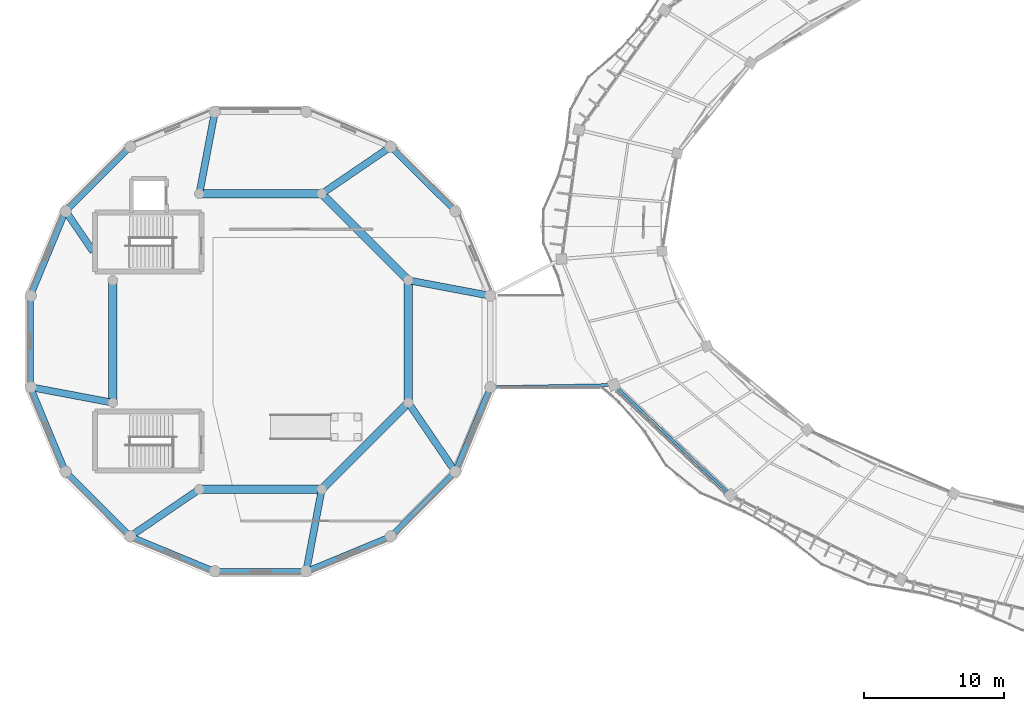
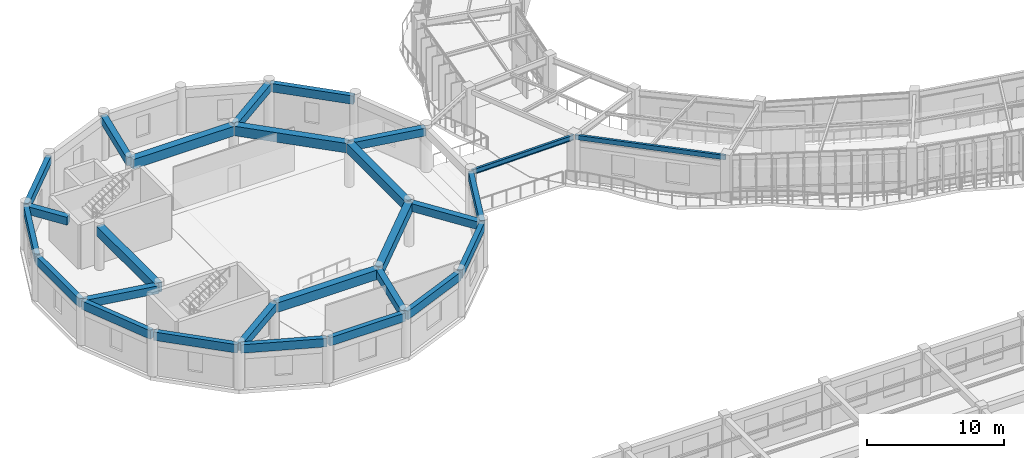
# One storey, part 47 of 152: 27 beams.
"""IFC4 building model written with IfcOpenShell, lengths in metres."""

from ifc_helpers import new_model, si_unit, direction, frame, origin, origin_2d, place, context, subcontext, project, spatial, rectangle, hollow_rectangle, i_section, extrude, material, material_profile, profile_set, type_object, element, save


model = new_model("IFC4")

# Units and contexts
model_context = context("Model", 3, precision=1e-05, world=origin(), true_north=direction((0.0, 1.0)))
body_context = subcontext(model_context, "Body", "Model", "MODEL_VIEW")
ifc_project = project(units=[si_unit("LENGTHUNIT", "METRE"), si_unit("AREAUNIT", "SQUARE_METRE"), si_unit("VOLUMEUNIT", "CUBIC_METRE"), si_unit("PLANEANGLEUNIT", "RADIAN"), si_unit("MASSUNIT", "GRAM", prefix="KILO"), si_unit("THERMODYNAMICTEMPERATUREUNIT", "KELVIN"), si_unit("POWERUNIT", "WATT")], contexts=[model_context])

# Site, building, storey
site_placement = place(None, origin())
site = spatial("IfcSite", under=ifc_project, at=site_placement, CompositionType="ELEMENT")
building_placement = place(site_placement, origin())
building = spatial("IfcBuilding", under=site, at=building_placement, Name="Darbajah Civic Hall", CompositionType="ELEMENT")
storey_placement = place(building_placement, frame((0.0, 0.0, 5.39990234375)))
storey = spatial("IfcBuildingStorey", under=building, at=storey_placement, Name="L01", CompositionType="ELEMENT", Elevation=5.39990234375)

# Beams
ifc_material_1 = material(Name="Concrete C45/55", Category="concrete")
ifc_material_profile_1 = material_profile(ifc_material_1, rectangle(XDim=0.5, YDim=0.699951171875, at=origin_2d()), Name="RC BEAM 500x700")
ifc_profile_set_1 = profile_set([ifc_material_profile_1], Name="Concrete C45/55")
beam_type_1 = type_object("IfcBeamType", Name="RC BEAM 500x700", PredefinedType="BEAM", material=ifc_profile_set_1)
for number, where, z_axis, x_axis, name in (
    (1, (27.410888671875, 85.94775390625, 3.530029296875), (0.982632316348, -0.185563279957, 0.0), (0.185563279957, 0.982632316348, 0.0), "L01 beam BM-5070"),
    (2, (21.228759765625, 92.17724609375, 3.530029296875), (0.826037882137, 0.563614599949, 0.0), (-0.563614599949, 0.826037882137, 0.0), "L01 beam BM-5070"),
):
    element("IfcBeam", number, at=place(storey_placement, frame(where, z_axis=z_axis, x_axis=x_axis)), inside=storey, type_object=beam_type_1, Name=name, PredefinedType="BEAM", context=body_context, shape_type="SweptSolid", body=[
        extrude(rectangle(XDim=0.5, YDim=0.699951171875, at=origin_2d()), origin(), (0.0, 0.0, 1.0), 5.781005859375),
    ])
beam_1_placement = place(storey_placement, frame((12.4521484375, 92.210693359375, 3.530029296875), z_axis=(0.185596354676, 0.982626069841, 0.0), x_axis=(-0.982626069841, 0.185596354676, 0.0)))
element("IfcBeam", 3, at=beam_1_placement, inside=storey, type_object=beam_type_1, Name="L01 beam BM-5070", PredefinedType="BEAM", context=body_context, shape_type="SweptSolid", body=[
    extrude(rectangle(XDim=0.5, YDim=0.699951171875, at=origin_2d()), origin(), (0.0, 0.0, 1.0), 5.78125),
])
beam_2_placement = place(storey_placement, frame((4.860107421875, 88.02587890625, 3.530029296875), z_axis=(-0.563629589976, 0.826027654079, 0.0), x_axis=(-0.826027654079, -0.563629589976, 0.0)))
element("IfcBeam", 4, at=beam_2_placement, inside=storey, type_object=beam_type_1, Name="L01 beam BM-5070", PredefinedType="BEAM", context=body_context, shape_type="SweptSolid", body=[
    extrude(rectangle(XDim=0.5, YDim=0.699951171875, at=origin_2d()), origin(), (0.0, 0.0, 1.0), 3.363525390625),
])
for number, where, z_axis, x_axis, name in (
    (5, (6.189208984375, 77.252197265625, 3.530029296875), (-0.982626069841, 0.185596354676, 0.0), (-0.185596354676, -0.982626069841, 0.0), "L01 beam BM-5070"),
    (6, (12.371337890625, 71.022705078125, 3.530029296875), (-0.826051296586, -0.563594939126, 0.0), (0.563594939126, -0.826051296586, 0.0), "L01 beam BM-5070"),
    (7, (21.147705078125, 70.9892578125, 3.530029296875), (-0.185555579839, -0.982633770431, 0.0), (0.982633770431, -0.185555579839, 0.0), "L01 beam BM-5070"),
    (8, (27.377197265625, 77.17138671875, 3.530029296875), (0.563594939126, -0.826051296586, 0.0), (0.826051296586, 0.563594939126, 0.0), "L01 beam BM-5070"),
):
    element("IfcBeam", number, at=place(storey_placement, frame(where, z_axis=z_axis, x_axis=x_axis)), inside=storey, type_object=beam_type_1, Name=name, PredefinedType="BEAM", context=body_context, shape_type="SweptSolid", body=[
        extrude(rectangle(XDim=0.5, YDim=0.699951171875, at=origin_2d()), origin(), (0.0, 0.0, 1.0), 5.78125),
    ])
ifc_material_2 = material(Name="Concrete C50/60", Category="concrete")
ifc_material_profile_2 = material_profile(ifc_material_2, rectangle(XDim=0.60009765625, YDim=0.85009765625, at=origin_2d()), Name="RC GIRDER 600x850")
ifc_profile_set_2 = profile_set([ifc_material_profile_2], Name="Concrete C50/60")
beam_type_2 = type_object("IfcBeamType", Name="RC GIRDER 600x850", PredefinedType="BEAM", material=ifc_profile_set_2)
beam_3_placement = place(storey_placement, frame((27.275634765625, 86.019287109375, 3.455078125), z_axis=(-0.707106781187, 0.707106781187, 0.0), x_axis=(-0.707106781187, -0.707106781187, 0.0)))
element("IfcBeam", 9, at=beam_3_placement, inside=storey, type_object=beam_type_2, Name="L01 beam BG-6085", PredefinedType="BEAM", context=body_context, shape_type="SweptSolid", body=[
    extrude(rectangle(XDim=0.60009765625, YDim=0.85009765625, at=origin_2d()), origin(), (0.0, 0.0, 1.0), 8.56494140625),
])
for number, where, z_axis, x_axis, name in (
    (10, (21.08251953125, 92.132080078125, 3.455078125), (-1.0, 0.0, 0.0), (0.0, -1.0, 0.0), "L01 beam BG-6085"),
    (11, (6.267822265625, 85.882568359375, 3.455078125), (0.0, -1.0, 0.0), (1.0, 0.0, 0.0), "L01 beam BG-6085"),
    (12, (12.517333984375, 71.06787109375, 3.455078125), (1.0, 0.0, 0.0), (0.0, 1.0, 0.0), "L01 beam BG-6085"),
):
    element("IfcBeam", number, at=place(storey_placement, frame(where, z_axis=z_axis, x_axis=x_axis)), inside=storey, type_object=beam_type_2, Name=name, PredefinedType="BEAM", context=body_context, shape_type="SweptSolid", body=[
        extrude(rectangle(XDim=0.60009765625, YDim=0.85009765625, at=origin_2d()), origin(), (0.0, 0.0, 1.0), 8.565185546875),
    ])
beam_4_placement = place(storey_placement, frame((21.21923828125, 71.12451171875, 3.455078125), z_axis=(0.707106781187, 0.707106781187, 0.0), x_axis=(-0.707106781187, 0.707106781187, 0.0)))
element("IfcBeam", 13, at=beam_4_placement, inside=storey, type_object=beam_type_2, Name="L01 beam BG-6085", PredefinedType="BEAM", context=body_context, shape_type="SweptSolid", body=[
    extrude(rectangle(XDim=0.60009765625, YDim=0.85009765625, at=origin_2d()), origin(), (0.0, 0.0, 1.0), 8.56494140625),
])
beam_5_placement = place(storey_placement, frame((27.332275390625, 77.3173828125, 3.455078125), z_axis=(0.0, 1.0, 0.0), x_axis=(-1.0, 0.0, 0.0)))
element("IfcBeam", 14, at=beam_5_placement, inside=storey, type_object=beam_type_2, Name="L01 beam BG-6085", PredefinedType="BEAM", context=body_context, shape_type="SweptSolid", body=[
    extrude(rectangle(XDim=0.60009765625, YDim=0.85009765625, at=origin_2d()), origin(), (0.0, 0.0, 1.0), 8.565185546875),
])
ifc_material_profile_3 = material_profile(ifc_material_1, rectangle(XDim=0.39990234375, YDim=0.75, at=origin_2d()), Name="RC SPANDREL 400x750")
ifc_profile_set_3 = profile_set([ifc_material_profile_3], Name="Concrete C45/55")
beam_type_3 = type_object("IfcBeamType", Name="RC SPANDREL 400x750", PredefinedType="SPANDREL", material=ifc_profile_set_3)
for number, where, z_axis, x_axis, name in (
    (15, (30.622802734375, 90.942138671875, 3.505126953125), (-0.707126045514, 0.707087516334, 0.0), (-0.707087516334, -0.707126045514, 0.0), "L01 beam SP-4075"),
    (16, (7.4580078125, 95.422607421875, 3.505126953125), (-0.707126045514, -0.707087516334, 0.0), (0.707087516334, -0.707126045514, 0.0), "L01 beam SP-4075"),
    (17, (2.87939453125, 90.79541015625, 3.505126953125), (-0.382715898409, -0.923866083967, 0.0), (0.923866083967, -0.382715898409, 0.0), "L01 beam SP-4075"),
    (18, (0.419921875, 84.768310546875, 3.505126953125), (0.0, -1.0, 0.0), (1.0, 0.0, 0.0), "L01 beam SP-4075"),
):
    element("IfcBeam", number, at=place(storey_placement, frame(where, z_axis=z_axis, x_axis=x_axis)), inside=storey, type_object=beam_type_3, Name=name, PredefinedType="SPANDREL", context=body_context, shape_type="SweptSolid", body=[
        extrude(rectangle(XDim=0.39990234375, YDim=0.75, at=origin_2d()), origin(), (0.0, 0.0, 1.0), 6.33642578125),
    ])
beam_6_placement = place(storey_placement, frame((0.454345703125, 78.2587890625, 3.505126953125), z_axis=(0.382702275575, -0.923871727173, 0.0), x_axis=(0.923871727173, 0.382702275575, 0.0)))
element("IfcBeam", 19, at=beam_6_placement, inside=storey, type_object=beam_type_3, Name="L01 beam SP-4075", PredefinedType="SPANDREL", context=body_context, shape_type="SweptSolid", body=[
    extrude(rectangle(XDim=0.39990234375, YDim=0.75, at=origin_2d()), origin(), (0.0, 0.0, 1.0), 6.336669921875),
])
beam_7_placement = place(storey_placement, frame((2.977294921875, 72.2578125, 3.505126953125), z_axis=(0.707126045514, -0.707087516334, 0.0), x_axis=(0.707087516334, 0.707126045514, 0.0)))
element("IfcBeam", 20, at=beam_7_placement, inside=storey, type_object=beam_type_3, Name="L01 beam SP-4075", PredefinedType="SPANDREL", context=body_context, shape_type="SweptSolid", body=[
    extrude(rectangle(XDim=0.39990234375, YDim=0.75, at=origin_2d()), origin(), (0.0, 0.0, 1.0), 6.33642578125),
])
beam_8_placement = place(storey_placement, frame((7.6044921875, 67.67919921875, 3.505126953125), z_axis=(0.923885349179, -0.382669389384, 0.0), x_axis=(0.382669389384, 0.923885349179, 0.0)))
element("IfcBeam", 21, at=beam_8_placement, inside=storey, type_object=beam_type_3, Name="L01 beam SP-4075", PredefinedType="SPANDREL", context=body_context, shape_type="SweptSolid", body=[
    extrude(rectangle(XDim=0.39990234375, YDim=0.75, at=origin_2d()), origin(), (0.0, 0.0, 1.0), 6.336669921875),
])
for number, where, z_axis, x_axis, name in (
    (22, (13.6318359375, 65.219970703125, 3.505126953125), (1.0, 0.0, 0.0), (0.0, 1.0, 0.0), "L01 beam SP-4075"),
    (23, (20.141357421875, 65.25439453125, 3.505126953125), (0.92387970686, 0.382683011449, 0.0), (-0.382683011449, 0.92387970686, 0.0), "L01 beam SP-4075"),
    (24, (26.14208984375, 67.77734375, 3.505126953125), (0.707126045514, 0.707087516334, 0.0), (-0.707087516334, 0.707126045514, 0.0), "L01 beam SP-4075"),
):
    element("IfcBeam", number, at=place(storey_placement, frame(where, z_axis=z_axis, x_axis=x_axis)), inside=storey, type_object=beam_type_3, Name=name, PredefinedType="SPANDREL", context=body_context, shape_type="SweptSolid", body=[
        extrude(rectangle(XDim=0.39990234375, YDim=0.75, at=origin_2d()), origin(), (0.0, 0.0, 1.0), 6.33642578125),
    ])
beam_9_placement = place(storey_placement, frame((30.720703125, 72.404541015625, 3.505126953125), z_axis=(0.382669389384, 0.923885349179, 0.0), x_axis=(-0.923885349179, 0.382669389384, 0.0)))
element("IfcBeam", 25, at=beam_9_placement, inside=storey, type_object=beam_type_3, Name="L01 beam SP-4075", PredefinedType="SPANDREL", context=body_context, shape_type="SweptSolid", body=[
    extrude(rectangle(XDim=0.39990234375, YDim=0.75, at=origin_2d()), origin(), (0.0, 0.0, 1.0), 6.336669921875),
])
ifc_material_3 = material(Name="Steel S355JR", Category="steel")
ifc_material_profile_4 = material_profile(ifc_material_3, hollow_rectangle(XDim=0.199951171875, YDim=0.39990234375, WallThickness=0.013916015625, at=origin_2d()), Name="RHS 400x200x14")
ifc_profile_set_4 = profile_set([ifc_material_profile_4], Name="Steel S355JR")
beam_type_4 = type_object("IfcBeamType", Name="RHS 400x200x14", PredefinedType="SPANDREL", material=ifc_profile_set_4)
beam_10_placement = place(storey_placement, frame((42.040283203125, 78.455810546875, 3.72021484375), z_axis=(0.727210771045, -0.686414229512, 0.0), x_axis=(0.686414229512, 0.727210771045, 0.0)))
element("IfcBeam", 26, at=beam_10_placement, inside=storey, type_object=beam_type_4, Name="L01 beam SP-RHS400", PredefinedType="SPANDREL", context=body_context, shape_type="SweptSolid", body=[
    extrude(hollow_rectangle(XDim=0.199951171875, YDim=0.39990234375, WallThickness=0.013916015625, at=origin_2d()), origin(), (0.0, 0.0, 1.0), 11.304443359375),
])
ifc_material_profile_5 = material_profile(ifc_material_3, i_section(OverallWidth=0.1904296875, OverallDepth=0.45703125, WebThickness=0.009033203125, FlangeThickness=0.014404296875, FilletRadius=0.01025390625, at=origin_2d()), Name="UB 457x191x74")
ifc_profile_set_5 = profile_set([ifc_material_profile_5], Name="Steel S355JR")
beam_type_5 = type_object("IfcBeamType", Name="UB 457x191x74", PredefinedType="BEAM", material=ifc_profile_set_5)
beam_11_placement = place(storey_placement, frame((33.239990234375, 78.343017578125, 3.70166015625), z_axis=(0.999816157201, 0.019174248333, 0.0), x_axis=(-0.019174248333, 0.999816157201, 0.0)))
element("IfcBeam", 27, at=beam_11_placement, inside=storey, type_object=beam_type_5, Name="L01 beam SB-457", PredefinedType="BEAM", context=body_context, shape_type="SweptSolid", body=[
    extrude(i_section(OverallWidth=0.1904296875, OverallDepth=0.45703125, WebThickness=0.009033203125, FlangeThickness=0.014404296875, FilletRadius=0.01025390625, at=origin_2d()), origin(), (0.0, 0.0, 1.0), 8.683837890625),
])

save(model, "model.ifc")
